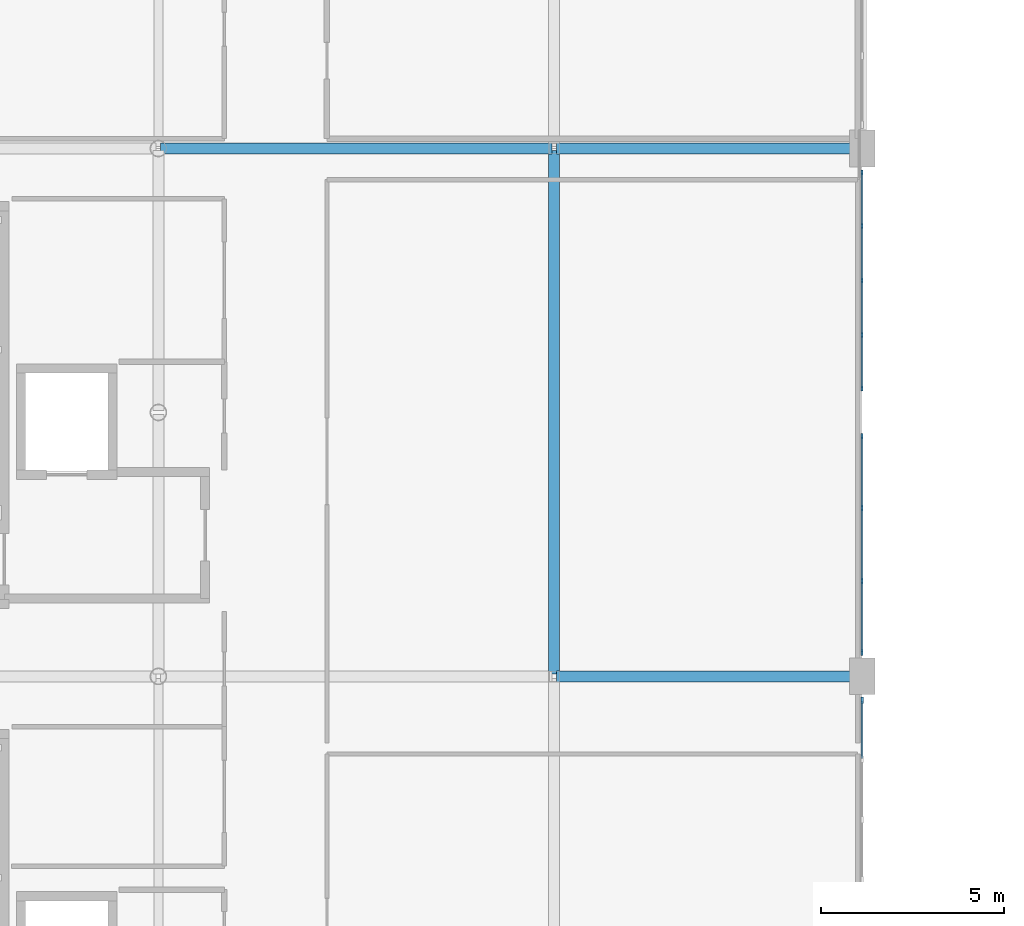
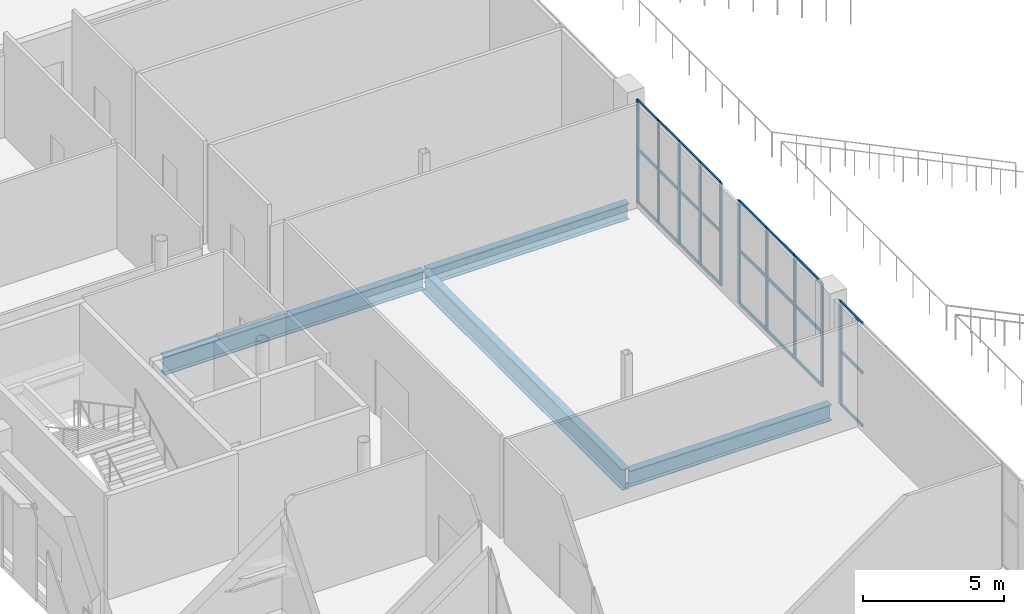
# One storey, part 28 of 104: 34 members, 4 beams, 3 elements without a shape of their own.
"""IFC4 building model written with IfcOpenShell, lengths in metres."""

from ifc_helpers import new_model, si_unit, direction, frame, origin, origin_2d, place, context, subcontext, project, spatial, rectangle, i_section, extrude, material, material_profile, profile_set, type_object, element, aggregate, save


model = new_model("IFC4")

# Units and contexts
model_context = context("Model", 3, precision=1e-05, world=origin(), true_north=direction((0.0, 1.0)))
body_context = subcontext(model_context, "Body", "Model", "MODEL_VIEW")
ifc_project = project(units=[si_unit("LENGTHUNIT", "METRE"), si_unit("AREAUNIT", "SQUARE_METRE"), si_unit("VOLUMEUNIT", "CUBIC_METRE"), si_unit("PLANEANGLEUNIT", "RADIAN"), si_unit("MASSUNIT", "GRAM", prefix="KILO")], contexts=[model_context])

# Site, building, storey
site_placement = place(None, origin())
site = spatial("IfcSite", under=ifc_project, at=site_placement, CompositionType="ELEMENT")
building_placement = place(site_placement, origin())
building = spatial("IfcBuilding", under=site, at=building_placement, Name="Koshinbarg Plaza Stadium", CompositionType="ELEMENT")
storey_placement = place(building_placement, frame((0.0, 0.0, 19.800048828125)))
storey = spatial("IfcBuildingStorey", under=building, at=storey_placement, Name="L04", CompositionType="ELEMENT", Elevation=19.800048828125)

# Beams
ifc_material_1 = material(Name="Steel S355", Category="steel")
ifc_material_profile_1 = material_profile(ifc_material_1, i_section(OverallWidth=0.300048828125, OverallDepth=0.699951171875, WebThickness=0.01708984375, FlangeThickness=0.031982421875, at=origin_2d()), Name="HEB 700")
ifc_profile_set_1 = profile_set([ifc_material_profile_1], Name="Steel S355")
beam_type_1 = type_object("IfcBeamType", Name="BM-SGIR-03", PredefinedType="USERDEFINED", material=ifc_profile_set_1)
for number, where, z_axis, x_axis, name in (
    (1, (46.260009765625, 97.5, -0.650146484375), (1.0, 0.0, 0.0), (0.0, 1.0, 0.0), "L04 X girder N/7-8"),
    (2, (46.260009765625, 111.89990234375, -0.650146484375), (1.0, 0.0, 0.0), (0.0, 1.0, 0.0), "L04 X girder Q/7-8"),
):
    element("IfcBeam", number, at=place(storey_placement, frame(where, z_axis=z_axis, x_axis=x_axis)), inside=storey, type_object=beam_type_1, Name=name, ObjectType="GIRDER", PredefinedType="USERDEFINED", context=body_context, shape_type="SweptSolid", body=[
        extrude(i_section(OverallWidth=0.300048828125, OverallDepth=0.699951171875, WebThickness=0.01708984375, FlangeThickness=0.031982421875, at=origin_2d()), origin(), (0.0, 0.0, 1.0), 8.280029296875),
    ])
ifc_material_profile_2 = material_profile(ifc_material_1, i_section(OverallWidth=0.300048828125, OverallDepth=0.800048828125, WebThickness=0.017578125, FlangeThickness=0.032958984375, at=origin_2d()), Name="HEB 800")
ifc_profile_set_2 = profile_set([ifc_material_profile_2], Name="Steel S355")
beam_type_2 = type_object("IfcBeamType", Name="BM-SGIR-04", PredefinedType="USERDEFINED", material=ifc_profile_set_2)
beam_1_placement = place(storey_placement, frame((35.4599609375, 111.89990234375, -0.699951171875), z_axis=(1.0, 0.0, 0.0), x_axis=(0.0, 1.0, 0.0)))
element("IfcBeam", 3, at=beam_1_placement, inside=storey, type_object=beam_type_2, Name="L04 X girder Q/6-7", ObjectType="GIRDER", PredefinedType="USERDEFINED", context=body_context, shape_type="SweptSolid", body=[
    extrude(i_section(OverallWidth=0.300048828125, OverallDepth=0.800048828125, WebThickness=0.017578125, FlangeThickness=0.032958984375, at=origin_2d()), origin(), (0.0, 0.0, 1.0), 10.679931640625),
])
ifc_material_profile_3 = material_profile(ifc_material_1, i_section(OverallWidth=0.300048828125, OverallDepth=0.89990234375, WebThickness=0.0185546875, FlangeThickness=0.034912109375, at=origin_2d()), Name="HEB 900")
ifc_profile_set_3 = profile_set([ifc_material_profile_3], Name="Steel S355")
beam_type_3 = type_object("IfcBeamType", Name="BM-SGIR-05", PredefinedType="USERDEFINED", material=ifc_profile_set_3)
beam_2_placement = place(storey_placement, frame((46.199951171875, 97.56005859375, -0.75), z_axis=(0.0, 1.0, 0.0), x_axis=(-1.0, 0.0, 0.0)))
element("IfcBeam", 4, at=beam_2_placement, inside=storey, type_object=beam_type_3, Name="L04 Y girder 7/N-Q", ObjectType="GIRDER", PredefinedType="USERDEFINED", context=body_context, shape_type="SweptSolid", body=[
    extrude(i_section(OverallWidth=0.300048828125, OverallDepth=0.89990234375, WebThickness=0.0185546875, FlangeThickness=0.034912109375, at=origin_2d()), origin(), (0.0, 0.0, 1.0), 14.280029296875),
])

# Curtain wall, members
ifc_material_2 = material(Name="Thermally broken anodised aluminium and low-E double glazing", Category="aluminium")
curtain_wall_type_1 = type_object("IfcCurtainWallType", Name="CW-SYS-01", PredefinedType="NOTDEFINED", material=ifc_material_2)
curtain_wall_1_placement = place(storey_placement, origin())
curtain_wall_1 = element("IfcCurtainWall", 5, at=curtain_wall_1_placement, inside=storey, type_object=curtain_wall_type_1, Name="L04 unitised curtain wall CW-L04-112", PredefinedType="NOTDEFINED")
ifc_material_3 = material(Name="Anodised aluminium mullion", Category="aluminium")
ifc_material_profile_4 = material_profile(ifc_material_3, rectangle(XDim=0.06005859375, YDim=0.139892578125, at=origin_2d()), Name="ALU 60x140")
ifc_profile_set_4 = profile_set([ifc_material_profile_4], Name="Anodised aluminium mullion")
member_type_1 = type_object("IfcMemberType", Name="CW-MUL-01", PredefinedType="MULLION", material=ifc_profile_set_4)
member_1_placement = place(storey_placement, frame((54.60009765625, 111.25, 0.0), z_axis=(0.0, 0.0, 1.0), x_axis=(1.0, 0.0, 0.0)))
member_1 = element("IfcMember", 6, at=member_1_placement, type_object=member_type_1, Name="CW01 mullion 1", PredefinedType="MULLION", context=body_context, shape_type="SweptSolid", body=[
    extrude(rectangle(XDim=0.06005859375, YDim=0.139892578125, at=origin_2d()), origin(), (0.0, 0.0, 1.0), 4.47998046875),
])
member_2_placement = place(storey_placement, frame((54.60009765625, 109.7900390625, 0.0), z_axis=(0.0, 0.0, 1.0), x_axis=(1.0, 0.0, 0.0)))
member_2 = element("IfcMember", 7, at=member_2_placement, type_object=member_type_1, Name="CW01 mullion 2", PredefinedType="MULLION", context=body_context, shape_type="SweptSolid", body=[
    extrude(rectangle(XDim=0.06005859375, YDim=0.139892578125, at=origin_2d()), origin(), (0.0, 0.0, 1.0), 4.47998046875),
])
member_3_placement = place(storey_placement, frame((54.60009765625, 108.300048828125, 0.0), z_axis=(0.0, 0.0, 1.0), x_axis=(1.0, 0.0, 0.0)))
member_3 = element("IfcMember", 8, at=member_3_placement, type_object=member_type_1, Name="CW01 mullion 3", PredefinedType="MULLION", context=body_context, shape_type="SweptSolid", body=[
    extrude(rectangle(XDim=0.06005859375, YDim=0.139892578125, at=origin_2d()), origin(), (0.0, 0.0, 1.0), 4.47998046875),
])
member_4_placement = place(storey_placement, frame((54.60009765625, 106.81005859375, 0.0), z_axis=(0.0, 0.0, 1.0), x_axis=(1.0, 0.0, 0.0)))
member_4 = element("IfcMember", 9, at=member_4_placement, type_object=member_type_1, Name="CW01 mullion 4", PredefinedType="MULLION", context=body_context, shape_type="SweptSolid", body=[
    extrude(rectangle(XDim=0.06005859375, YDim=0.139892578125, at=origin_2d()), origin(), (0.0, 0.0, 1.0), 4.47998046875),
])
member_5_placement = place(storey_placement, frame((54.60009765625, 105.35009765625, 0.0), z_axis=(0.0, 0.0, 1.0), x_axis=(1.0, 0.0, 0.0)))
member_5 = element("IfcMember", 10, at=member_5_placement, type_object=member_type_1, Name="CW01 mullion 5", PredefinedType="MULLION", context=body_context, shape_type="SweptSolid", body=[
    extrude(rectangle(XDim=0.06005859375, YDim=0.139892578125, at=origin_2d()), origin(), (0.0, 0.0, 1.0), 4.47998046875),
])

curtain_wall_type_2 = type_object("IfcCurtainWallType", Name="CW-SYS-02", PredefinedType="NOTDEFINED", material=ifc_material_2)
curtain_wall_2_placement = place(storey_placement, origin())
curtain_wall_2 = element("IfcCurtainWall", 11, at=curtain_wall_2_placement, inside=storey, type_object=curtain_wall_type_2, Name="L04 unitised curtain wall CW-L04-113", PredefinedType="NOTDEFINED")
ifc_material_profile_5 = material_profile(ifc_material_3, rectangle(XDim=0.06005859375, YDim=0.159912109375, at=origin_2d()), Name="ALU 60x160")
ifc_profile_set_5 = profile_set([ifc_material_profile_5], Name="Anodised aluminium mullion")
member_type_2 = type_object("IfcMemberType", Name="CW-MUL-02", PredefinedType="MULLION", material=ifc_profile_set_5)
member_6_placement = place(storey_placement, frame((54.60009765625, 104.050048828125, 0.0), z_axis=(0.0, 0.0, 1.0), x_axis=(1.0, 0.0, 0.0)))
member_6 = element("IfcMember", 12, at=member_6_placement, type_object=member_type_2, Name="CW02 mullion 1", PredefinedType="MULLION", context=body_context, shape_type="SweptSolid", body=[
    extrude(rectangle(XDim=0.06005859375, YDim=0.159912109375, at=origin_2d()), origin(), (0.0, 0.0, 1.0), 4.47998046875),
])
member_7_placement = place(storey_placement, frame((54.60009765625, 102.09326171875, 0.0), z_axis=(0.0, 0.0, 1.0), x_axis=(1.0, 0.0, 0.0)))
member_7 = element("IfcMember", 13, at=member_7_placement, type_object=member_type_2, Name="CW02 mullion 2", PredefinedType="MULLION", context=body_context, shape_type="SweptSolid", body=[
    extrude(rectangle(XDim=0.06005859375, YDim=0.159912109375, at=origin_2d()), origin(), (0.0, 0.0, 1.0), 4.47998046875),
])
member_8_placement = place(storey_placement, frame((54.60009765625, 100.106689453125, 0.0), z_axis=(0.0, 0.0, 1.0), x_axis=(1.0, 0.0, 0.0)))
member_8 = element("IfcMember", 14, at=member_8_placement, type_object=member_type_2, Name="CW02 mullion 3", PredefinedType="MULLION", context=body_context, shape_type="SweptSolid", body=[
    extrude(rectangle(XDim=0.06005859375, YDim=0.159912109375, at=origin_2d()), origin(), (0.0, 0.0, 1.0), 4.47998046875),
])
member_9_placement = place(storey_placement, frame((54.60009765625, 98.14990234375, 0.0), z_axis=(0.0, 0.0, 1.0), x_axis=(1.0, 0.0, 0.0)))
member_9 = element("IfcMember", 15, at=member_9_placement, type_object=member_type_2, Name="CW02 mullion 4", PredefinedType="MULLION", context=body_context, shape_type="SweptSolid", body=[
    extrude(rectangle(XDim=0.06005859375, YDim=0.159912109375, at=origin_2d()), origin(), (0.0, 0.0, 1.0), 4.47998046875),
])

# Curtain wall, member
curtain_wall_type_3 = type_object("IfcCurtainWallType", Name="CW-SYS-03", PredefinedType="NOTDEFINED", material=ifc_material_2)
curtain_wall_3_placement = place(storey_placement, origin())
curtain_wall_3 = element("IfcCurtainWall", 16, at=curtain_wall_3_placement, inside=storey, type_object=curtain_wall_type_3, Name="L04 unitised curtain wall CW-L04-114", PredefinedType="NOTDEFINED")
ifc_material_profile_6 = material_profile(ifc_material_3, rectangle(XDim=0.070068359375, YDim=0.179931640625, at=origin_2d()), Name="ALU 70x180")
ifc_profile_set_6 = profile_set([ifc_material_profile_6], Name="Anodised aluminium mullion")
member_type_3 = type_object("IfcMemberType", Name="CW-MUL-03", PredefinedType="MULLION", material=ifc_profile_set_6)
member_10_placement = place(storey_placement, frame((54.60009765625, 96.85009765625, 0.0), z_axis=(0.0, 0.0, 1.0), x_axis=(1.0, 0.0, 0.0)))
member_10 = element("IfcMember", 17, at=member_10_placement, type_object=member_type_3, Name="CW03 mullion 1", PredefinedType="MULLION", context=body_context, shape_type="SweptSolid", body=[
    extrude(rectangle(XDim=0.070068359375, YDim=0.179931640625, at=origin_2d()), origin(), (0.0, 0.0, 1.0), 4.47998046875),
])

# Member
ifc_material_4 = material(Name="Anodised aluminium transom", Category="aluminium")
ifc_material_profile_7 = material_profile(ifc_material_4, rectangle(XDim=0.06005859375, YDim=0.110107421875, at=origin_2d()), Name="ALU 60x110")
ifc_profile_set_7 = profile_set([ifc_material_profile_7], Name="Anodised aluminium transom")
member_type_4 = type_object("IfcMemberType", Name="CW-TRN-01", PredefinedType="USERDEFINED", material=ifc_profile_set_7)
member_11_placement = place(storey_placement, frame((54.60009765625, 111.219970703125, 0.030029296875), z_axis=(0.0, -1.0, 0.0), x_axis=(1.0, 0.0, 0.0)))
member_11 = element("IfcMember", 18, at=member_11_placement, type_object=member_type_4, Name="CW01 transom 1.1", ObjectType="TRANSOM", PredefinedType="USERDEFINED", context=body_context, shape_type="SweptSolid", body=[
    extrude(rectangle(XDim=0.06005859375, YDim=0.110107421875, at=origin_2d()), origin(), (0.0, 0.0, 1.0), 1.39990234375),
])

member_12_placement = place(storey_placement, frame((54.60009765625, 111.219970703125, 2.32958984375), z_axis=(0.0, -1.0, 0.0), x_axis=(1.0, 0.0, 0.0)))
member_12 = element("IfcMember", 19, at=member_12_placement, type_object=member_type_4, Name="CW01 transom 1.2", ObjectType="TRANSOM", PredefinedType="USERDEFINED", context=body_context, shape_type="SweptSolid", body=[
    extrude(rectangle(XDim=0.06005859375, YDim=0.110107421875, at=origin_2d()), origin(), (0.0, 0.0, 1.0), 1.39990234375),
])

member_13_placement = place(storey_placement, frame((54.60009765625, 111.219970703125, 4.449951171875), z_axis=(0.0, -1.0, 0.0), x_axis=(1.0, 0.0, 0.0)))
member_13 = element("IfcMember", 20, at=member_13_placement, type_object=member_type_4, Name="CW01 transom 1.3", ObjectType="TRANSOM", PredefinedType="USERDEFINED", context=body_context, shape_type="SweptSolid", body=[
    extrude(rectangle(XDim=0.06005859375, YDim=0.110107421875, at=origin_2d()), origin(), (0.0, 0.0, 1.0), 1.39990234375),
])

member_14_placement = place(storey_placement, frame((54.60009765625, 109.760009765625, 0.030029296875), z_axis=(0.0, -1.0, 0.0), x_axis=(1.0, 0.0, 0.0)))
member_14 = element("IfcMember", 21, at=member_14_placement, type_object=member_type_4, Name="CW01 transom 2.1", ObjectType="TRANSOM", PredefinedType="USERDEFINED", context=body_context, shape_type="SweptSolid", body=[
    extrude(rectangle(XDim=0.06005859375, YDim=0.110107421875, at=origin_2d()), origin(), (0.0, 0.0, 1.0), 1.429931640625),
])

member_15_placement = place(storey_placement, frame((54.60009765625, 109.760009765625, 2.32958984375), z_axis=(0.0, -1.0, 0.0), x_axis=(1.0, 0.0, 0.0)))
member_15 = element("IfcMember", 22, at=member_15_placement, type_object=member_type_4, Name="CW01 transom 2.2", ObjectType="TRANSOM", PredefinedType="USERDEFINED", context=body_context, shape_type="SweptSolid", body=[
    extrude(rectangle(XDim=0.06005859375, YDim=0.110107421875, at=origin_2d()), origin(), (0.0, 0.0, 1.0), 1.429931640625),
])

member_16_placement = place(storey_placement, frame((54.60009765625, 109.760009765625, 4.449951171875), z_axis=(0.0, -1.0, 0.0), x_axis=(1.0, 0.0, 0.0)))
member_16 = element("IfcMember", 23, at=member_16_placement, type_object=member_type_4, Name="CW01 transom 2.3", ObjectType="TRANSOM", PredefinedType="USERDEFINED", context=body_context, shape_type="SweptSolid", body=[
    extrude(rectangle(XDim=0.06005859375, YDim=0.110107421875, at=origin_2d()), origin(), (0.0, 0.0, 1.0), 1.429931640625),
])

member_17_placement = place(storey_placement, frame((54.60009765625, 108.27001953125, 0.030029296875), z_axis=(0.0, -1.0, 0.0), x_axis=(1.0, 0.0, 0.0)))
member_17 = element("IfcMember", 24, at=member_17_placement, type_object=member_type_4, Name="CW01 transom 3.1", ObjectType="TRANSOM", PredefinedType="USERDEFINED", context=body_context, shape_type="SweptSolid", body=[
    extrude(rectangle(XDim=0.06005859375, YDim=0.110107421875, at=origin_2d()), origin(), (0.0, 0.0, 1.0), 1.429931640625),
])

member_18_placement = place(storey_placement, frame((54.60009765625, 108.27001953125, 2.32958984375), z_axis=(0.0, -1.0, 0.0), x_axis=(1.0, 0.0, 0.0)))
member_18 = element("IfcMember", 25, at=member_18_placement, type_object=member_type_4, Name="CW01 transom 3.2", ObjectType="TRANSOM", PredefinedType="USERDEFINED", context=body_context, shape_type="SweptSolid", body=[
    extrude(rectangle(XDim=0.06005859375, YDim=0.110107421875, at=origin_2d()), origin(), (0.0, 0.0, 1.0), 1.429931640625),
])

member_19_placement = place(storey_placement, frame((54.60009765625, 108.27001953125, 4.449951171875), z_axis=(0.0, -1.0, 0.0), x_axis=(1.0, 0.0, 0.0)))
member_19 = element("IfcMember", 26, at=member_19_placement, type_object=member_type_4, Name="CW01 transom 3.3", ObjectType="TRANSOM", PredefinedType="USERDEFINED", context=body_context, shape_type="SweptSolid", body=[
    extrude(rectangle(XDim=0.06005859375, YDim=0.110107421875, at=origin_2d()), origin(), (0.0, 0.0, 1.0), 1.429931640625),
])

member_20_placement = place(storey_placement, frame((54.60009765625, 106.780029296875, 0.030029296875), z_axis=(0.0, -1.0, 0.0), x_axis=(1.0, 0.0, 0.0)))
member_20 = element("IfcMember", 27, at=member_20_placement, type_object=member_type_4, Name="CW01 transom 4.1", ObjectType="TRANSOM", PredefinedType="USERDEFINED", context=body_context, shape_type="SweptSolid", body=[
    extrude(rectangle(XDim=0.06005859375, YDim=0.110107421875, at=origin_2d()), origin(), (0.0, 0.0, 1.0), 1.400146484375),
])

member_21_placement = place(storey_placement, frame((54.60009765625, 106.780029296875, 2.32958984375), z_axis=(0.0, -1.0, 0.0), x_axis=(1.0, 0.0, 0.0)))
member_21 = element("IfcMember", 28, at=member_21_placement, type_object=member_type_4, Name="CW01 transom 4.2", ObjectType="TRANSOM", PredefinedType="USERDEFINED", context=body_context, shape_type="SweptSolid", body=[
    extrude(rectangle(XDim=0.06005859375, YDim=0.110107421875, at=origin_2d()), origin(), (0.0, 0.0, 1.0), 1.400146484375),
])

member_22_placement = place(storey_placement, frame((54.60009765625, 106.780029296875, 4.449951171875), z_axis=(0.0, -1.0, 0.0), x_axis=(1.0, 0.0, 0.0)))
member_22 = element("IfcMember", 29, at=member_22_placement, type_object=member_type_4, Name="CW01 transom 4.3", ObjectType="TRANSOM", PredefinedType="USERDEFINED", context=body_context, shape_type="SweptSolid", body=[
    extrude(rectangle(XDim=0.06005859375, YDim=0.110107421875, at=origin_2d()), origin(), (0.0, 0.0, 1.0), 1.400146484375),
])

aggregate(curtain_wall_1, [member_1, member_2, member_3, member_4, member_5, member_11, member_12, member_13, member_14, member_15, member_16, member_17, member_18, member_19, member_20, member_21, member_22])

member_23_placement = place(storey_placement, frame((54.60009765625, 96.820068359375, 0.030029296875), z_axis=(0.0, -1.0, 0.0), x_axis=(1.0, 0.0, 0.0)))
member_23 = element("IfcMember", 30, at=member_23_placement, type_object=member_type_4, Name="CW03 transom 1.1", ObjectType="TRANSOM", PredefinedType="USERDEFINED", context=body_context, shape_type="SweptSolid", body=[
    extrude(rectangle(XDim=0.06005859375, YDim=0.110107421875, at=origin_2d()), origin(), (0.0, 0.0, 1.0), 1.55517578125),
])

member_24_placement = place(storey_placement, frame((54.60009765625, 96.820068359375, 2.32958984375), z_axis=(0.0, -1.0, 0.0), x_axis=(1.0, 0.0, 0.0)))
member_24 = element("IfcMember", 31, at=member_24_placement, type_object=member_type_4, Name="CW03 transom 1.2", ObjectType="TRANSOM", PredefinedType="USERDEFINED", context=body_context, shape_type="SweptSolid", body=[
    extrude(rectangle(XDim=0.06005859375, YDim=0.110107421875, at=origin_2d()), origin(), (0.0, 0.0, 1.0), 1.55517578125),
])

member_25_placement = place(storey_placement, frame((54.60009765625, 96.820068359375, 4.449951171875), z_axis=(0.0, -1.0, 0.0), x_axis=(1.0, 0.0, 0.0)))
member_25 = element("IfcMember", 32, at=member_25_placement, type_object=member_type_4, Name="CW03 transom 1.3", ObjectType="TRANSOM", PredefinedType="USERDEFINED", context=body_context, shape_type="SweptSolid", body=[
    extrude(rectangle(XDim=0.06005859375, YDim=0.110107421875, at=origin_2d()), origin(), (0.0, 0.0, 1.0), 1.55517578125),
])

aggregate(curtain_wall_3, [member_10, member_23, member_24, member_25])

ifc_material_profile_8 = material_profile(ifc_material_4, rectangle(XDim=0.06005859375, YDim=0.1298828125, at=origin_2d()), Name="ALU 60x130")
ifc_profile_set_8 = profile_set([ifc_material_profile_8], Name="Anodised aluminium transom")
member_type_5 = type_object("IfcMemberType", Name="CW-TRN-02", PredefinedType="USERDEFINED", material=ifc_profile_set_8)
member_26_placement = place(storey_placement, frame((54.60009765625, 104.02001953125, 0.030029296875), z_axis=(0.0, -1.0, 0.0), x_axis=(1.0, 0.0, 0.0)))
member_26 = element("IfcMember", 33, at=member_26_placement, type_object=member_type_5, Name="CW02 transom 1.1", ObjectType="TRANSOM", PredefinedType="USERDEFINED", context=body_context, shape_type="SweptSolid", body=[
    extrude(rectangle(XDim=0.06005859375, YDim=0.1298828125, at=origin_2d()), origin(), (0.0, 0.0, 1.0), 1.896728515625),
])

member_27_placement = place(storey_placement, frame((54.60009765625, 104.02001953125, 2.32958984375), z_axis=(0.0, -1.0, 0.0), x_axis=(1.0, 0.0, 0.0)))
member_27 = element("IfcMember", 34, at=member_27_placement, type_object=member_type_5, Name="CW02 transom 1.2", ObjectType="TRANSOM", PredefinedType="USERDEFINED", context=body_context, shape_type="SweptSolid", body=[
    extrude(rectangle(XDim=0.06005859375, YDim=0.1298828125, at=origin_2d()), origin(), (0.0, 0.0, 1.0), 1.896728515625),
])

member_28_placement = place(storey_placement, frame((54.60009765625, 104.02001953125, 4.449951171875), z_axis=(0.0, -1.0, 0.0), x_axis=(1.0, 0.0, 0.0)))
member_28 = element("IfcMember", 35, at=member_28_placement, type_object=member_type_5, Name="CW02 transom 1.3", ObjectType="TRANSOM", PredefinedType="USERDEFINED", context=body_context, shape_type="SweptSolid", body=[
    extrude(rectangle(XDim=0.06005859375, YDim=0.1298828125, at=origin_2d()), origin(), (0.0, 0.0, 1.0), 1.896728515625),
])

member_29_placement = place(storey_placement, frame((54.60009765625, 102.063232421875, 0.030029296875), z_axis=(0.0, -1.0, 0.0), x_axis=(1.0, 0.0, 0.0)))
member_29 = element("IfcMember", 36, at=member_29_placement, type_object=member_type_5, Name="CW02 transom 2.1", ObjectType="TRANSOM", PredefinedType="USERDEFINED", context=body_context, shape_type="SweptSolid", body=[
    extrude(rectangle(XDim=0.06005859375, YDim=0.1298828125, at=origin_2d()), origin(), (0.0, 0.0, 1.0), 1.926513671875),
])

member_30_placement = place(storey_placement, frame((54.60009765625, 102.063232421875, 2.32958984375), z_axis=(0.0, -1.0, 0.0), x_axis=(1.0, 0.0, 0.0)))
member_30 = element("IfcMember", 37, at=member_30_placement, type_object=member_type_5, Name="CW02 transom 2.2", ObjectType="TRANSOM", PredefinedType="USERDEFINED", context=body_context, shape_type="SweptSolid", body=[
    extrude(rectangle(XDim=0.06005859375, YDim=0.1298828125, at=origin_2d()), origin(), (0.0, 0.0, 1.0), 1.926513671875),
])

member_31_placement = place(storey_placement, frame((54.60009765625, 102.063232421875, 4.449951171875), z_axis=(0.0, -1.0, 0.0), x_axis=(1.0, 0.0, 0.0)))
member_31 = element("IfcMember", 38, at=member_31_placement, type_object=member_type_5, Name="CW02 transom 2.3", ObjectType="TRANSOM", PredefinedType="USERDEFINED", context=body_context, shape_type="SweptSolid", body=[
    extrude(rectangle(XDim=0.06005859375, YDim=0.1298828125, at=origin_2d()), origin(), (0.0, 0.0, 1.0), 1.926513671875),
])

member_32_placement = place(storey_placement, frame((54.60009765625, 100.07666015625, 0.030029296875), z_axis=(0.0, -1.0, 0.0), x_axis=(1.0, 0.0, 0.0)))
member_32 = element("IfcMember", 39, at=member_32_placement, type_object=member_type_5, Name="CW02 transom 3.1", ObjectType="TRANSOM", PredefinedType="USERDEFINED", context=body_context, shape_type="SweptSolid", body=[
    extrude(rectangle(XDim=0.06005859375, YDim=0.1298828125, at=origin_2d()), origin(), (0.0, 0.0, 1.0), 1.896728515625),
])

member_33_placement = place(storey_placement, frame((54.60009765625, 100.07666015625, 2.32958984375), z_axis=(0.0, -1.0, 0.0), x_axis=(1.0, 0.0, 0.0)))
member_33 = element("IfcMember", 40, at=member_33_placement, type_object=member_type_5, Name="CW02 transom 3.2", ObjectType="TRANSOM", PredefinedType="USERDEFINED", context=body_context, shape_type="SweptSolid", body=[
    extrude(rectangle(XDim=0.06005859375, YDim=0.1298828125, at=origin_2d()), origin(), (0.0, 0.0, 1.0), 1.896728515625),
])

member_34_placement = place(storey_placement, frame((54.60009765625, 100.07666015625, 4.449951171875), z_axis=(0.0, -1.0, 0.0), x_axis=(1.0, 0.0, 0.0)))
member_34 = element("IfcMember", 41, at=member_34_placement, type_object=member_type_5, Name="CW02 transom 3.3", ObjectType="TRANSOM", PredefinedType="USERDEFINED", context=body_context, shape_type="SweptSolid", body=[
    extrude(rectangle(XDim=0.06005859375, YDim=0.1298828125, at=origin_2d()), origin(), (0.0, 0.0, 1.0), 1.896728515625),
])

aggregate(curtain_wall_2, [member_6, member_7, member_8, member_9, member_26, member_27, member_28, member_29, member_30, member_31, member_32, member_33, member_34])

save(model, "model.ifc")
